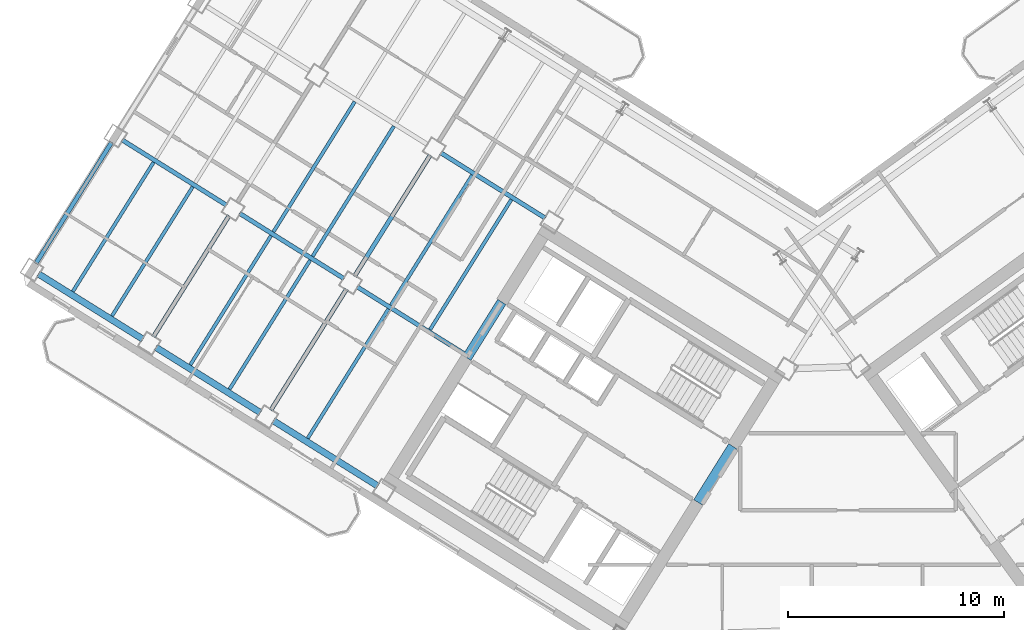
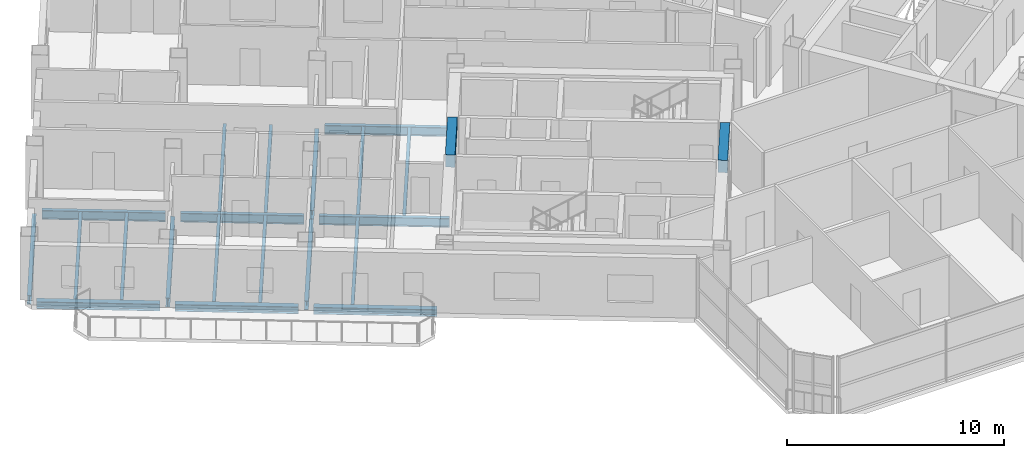
# One storey, part 5 of 20: 22 beams.
"""IFC4 building model written with IfcOpenShell, lengths in metres."""

from ifc_helpers import new_model, si_unit, direction, frame, origin, origin_2d, place, context, subcontext, project, spatial, rectangle, i_section, extrude, source, transform, mapped, material, material_profile, profile_set, type_object, element, save


model = new_model("IFC4")

# Units and contexts
model_context = context("Model", 3, precision=1e-05, world=origin(), true_north=direction((0.0, 1.0)))
body_context = subcontext(model_context, "Body", "Model", "MODEL_VIEW")
ifc_project = project(units=[si_unit("LENGTHUNIT", "METRE"), si_unit("AREAUNIT", "SQUARE_METRE"), si_unit("VOLUMEUNIT", "CUBIC_METRE"), si_unit("PLANEANGLEUNIT", "RADIAN"), si_unit("MASSUNIT", "GRAM", prefix="KILO")], contexts=[model_context])

# Site, building, storey
site_placement = place(None, origin())
site = spatial("IfcSite", under=ifc_project, at=site_placement, CompositionType="ELEMENT")
building_placement = place(site_placement, origin())
building = spatial("IfcBuilding", under=site, at=building_placement, Name="Tlacorven Tower", CompositionType="ELEMENT")
storey_placement = place(building_placement, frame((0.0, 0.0, 187.800048828125)))
storey = spatial("IfcBuildingStorey", under=building, at=storey_placement, Name="L47", CompositionType="ELEMENT", Elevation=187.800048828125)

# Beams
ifc_material_1 = material(Name="Concrete C60/75", Category="concrete")
ifc_material_profile_1 = material_profile(ifc_material_1, rectangle(XDim=0.449951171875, YDim=0.699951171875, at=origin_2d()), Name="RC 450X700")
ifc_profile_set_1 = profile_set([ifc_material_profile_1], Name="Concrete C60/75")
beam_type_1 = type_object("IfcBeamType", Name="BM-LNT-700", PredefinedType="LINTEL", material=ifc_profile_set_1)
shared_shape_1 = source(origin(), body_context, "Body", "SweptSolid", [
    extrude(rectangle(XDim=0.449951171875, YDim=0.699951171875, at=origin_2d()), origin(), (0.0, 0.0, 1.0), 3.050048828125),
])
beam_1_placement = place(storey_placement, frame((38.2998046875, 20.890625, 3.0), z_axis=(-0.529984549635, -0.848007297815, 0.0), x_axis=(0.848007297815, -0.529984549635, 0.0)))
element("IfcBeam", 1, at=beam_1_placement, inside=storey, type_object=beam_type_1, Name="L47 W core coupling lintel beam E1", PredefinedType="LINTEL", context=body_context, shape_type="MappedRepresentation", body=[
    mapped(shared_shape_1, transform((0.0, 0.0, 0.0), scale=1.0)),
])
shared_shape_2 = source(origin(), body_context, "Body", "SweptSolid", [
    extrude(rectangle(XDim=0.449951171875, YDim=0.699951171875, at=origin_2d()), origin(), (0.0, 0.0, 1.0), 3.0498046875),
])
beam_2_placement = place(storey_placement, frame((27.622802734375, 27.562255859375, 3.0), z_axis=(-0.529926983584, -0.848043272522, 0.0), x_axis=(0.848043272522, -0.529926983584, 0.0)))
element("IfcBeam", 2, at=beam_2_placement, inside=storey, type_object=beam_type_1, Name="L47 W core coupling lintel beam E2", PredefinedType="LINTEL", context=body_context, shape_type="MappedRepresentation", body=[
    mapped(shared_shape_2, transform((0.0, 0.0, 0.0), scale=1.0)),
])
ifc_material_2 = material(Name="Steel S355J2", Category="steel")
ifc_material_profile_2 = material_profile(ifc_material_2, i_section(OverallWidth=0.199951171875, OverallDepth=0.5, WebThickness=0.01025390625, FlangeThickness=0.01611328125, at=origin_2d()), Name="IPE 500")
ifc_profile_set_2 = profile_set([ifc_material_profile_2], Name="Steel S355J2")
beam_type_2 = type_object("IfcBeamType", Name="BM-TWR-500", PredefinedType="BEAM", material=ifc_profile_set_2)
shared_shape_3 = source(origin(), body_context, "Body", "SweptSolid", [
    extrude(i_section(OverallWidth=0.199951171875, OverallDepth=0.5, WebThickness=0.01025390625, FlangeThickness=0.01611328125, at=origin_2d()), origin(), (0.0, 0.0, 1.0), 6.010009765625),
])
beam_3_placement = place(storey_placement, frame((26.025634765625, 25.081787109375, -0.5), z_axis=(-0.848043944584, 0.529925908081, 0.0), x_axis=(-0.529925908081, -0.848043944584, 0.0)))
element("IfcBeam", 3, at=beam_3_placement, inside=storey, type_object=beam_type_2, Name="L47 beam BM-L47-WL3-3", PredefinedType="BEAM", context=body_context, shape_type="MappedRepresentation", body=[
    mapped(shared_shape_3, transform((0.0, 0.0, 0.0), scale=1.0)),
])
shared_shape_4 = source(origin(), body_context, "Body", "SweptSolid", [
    extrude(i_section(OverallWidth=0.199951171875, OverallDepth=0.5, WebThickness=0.01025390625, FlangeThickness=0.01611328125, at=origin_2d()), origin(), (0.0, 0.0, 1.0), 5.7001953125),
])
for number, where, z_axis, x_axis, name in (
    (4, (20.335205078125, 28.637451171875, -0.5), (-0.848036800771, 0.529937340199, 0.0), (-0.529937340199, -0.848036800771, 0.0), "L47 beam BM-L47-WL3-4"),
    (5, (14.90771484375, 32.029052734375, -0.5), (-0.848056048787, 0.529906537151, 0.0), (-0.529906537151, -0.848056048787, 0.0), "L47 beam BM-L47-WL3-5"),
):
    element("IfcBeam", number, at=place(storey_placement, frame(where, z_axis=z_axis, x_axis=x_axis)), inside=storey, type_object=beam_type_2, Name=name, PredefinedType="BEAM", context=body_context, shape_type="MappedRepresentation", body=[
        mapped(shared_shape_4, transform((0.0, 0.0, 0.0), scale=1.0)),
    ])
shared_shape_5 = source(origin(), body_context, "Body", "SweptSolid", [
    extrude(i_section(OverallWidth=0.199951171875, OverallDepth=0.5, WebThickness=0.01025390625, FlangeThickness=0.01611328125, at=origin_2d()), origin(), (0.0, 0.0, 1.0), 5.699951171875),
])
beam_4_placement = place(storey_placement, frame((29.631103515625, 31.436767578125, -0.5), z_axis=(-0.848044021115, 0.529925785607, 0.0), x_axis=(-0.529925785607, -0.848044021115, 0.0)))
element("IfcBeam", 6, at=beam_4_placement, inside=storey, type_object=beam_type_2, Name="L47 beam BM-L47-WL2-3", PredefinedType="BEAM", context=body_context, shape_type="MappedRepresentation", body=[
    mapped(shared_shape_5, transform((0.0, 0.0, 0.0), scale=1.0)),
])
shared_shape_6 = source(origin(), body_context, "Body", "SweptSolid", [
    extrude(i_section(OverallWidth=0.199951171875, OverallDepth=0.5, WebThickness=0.01025390625, FlangeThickness=0.01611328125, at=origin_2d()), origin(), (0.0, 0.0, 1.0), 6.599853515625),
])
beam_5_placement = place(storey_placement, frame((24.31494140625, 34.345947265625, -0.5), z_axis=(-0.529942412256, -0.848033631227, 0.0), x_axis=(0.848033631227, -0.529942412256, 0.0)))
element("IfcBeam", 7, at=beam_5_placement, inside=storey, type_object=beam_type_2, Name="L47 beam BM-L47-WT4-2", PredefinedType="BEAM", context=body_context, shape_type="MappedRepresentation", body=[
    mapped(shared_shape_6, transform((0.0, 0.0, 0.0), scale=1.0)),
])
shared_shape_7 = source(origin(), body_context, "Body", "SweptSolid", [
    extrude(i_section(OverallWidth=0.199951171875, OverallDepth=0.5, WebThickness=0.01025390625, FlangeThickness=0.01611328125, at=origin_2d()), origin(), (0.0, 0.0, 1.0), 6.60009765625),
])
for number, where, z_axis, x_axis, name in (
    (8, (20.446533203125, 28.1552734375, -0.5), (-0.529925788294, -0.848044019436, 0.0), (0.848044019436, -0.529925788294, 0.0), "L47 beam BM-L47-WT4-3"),
    (9, (15.01904296875, 31.546875, -0.5), (-0.529925788294, -0.848044019436, 0.0), (0.848044019436, -0.529925788294, 0.0), "L47 beam BM-L47-WT5-3"),
    (10, (9.591552734375, 34.938232421875, -0.5), (-0.529925788294, -0.848044019436, 0.0), (0.848044019436, -0.529925788294, 0.0), "L47 beam BM-L47-WT6-3"),
):
    element("IfcBeam", number, at=place(storey_placement, frame(where, z_axis=z_axis, x_axis=x_axis)), inside=storey, type_object=beam_type_2, Name=name, PredefinedType="BEAM", context=body_context, shape_type="MappedRepresentation", body=[
        mapped(shared_shape_7, transform((0.0, 0.0, 0.0), scale=1.0)),
    ])
ifc_material_profile_3 = material_profile(ifc_material_2, i_section(OverallWidth=0.159912109375, OverallDepth=0.330078125, WebThickness=0.007568359375, FlangeThickness=0.011474609375, at=origin_2d()), Name="IPE 330")
ifc_profile_set_3 = profile_set([ifc_material_profile_3], Name="Steel S355J2")
beam_type_3 = type_object("IfcBeamType", Name="BM-JST-330", PredefinedType="JOIST", material=ifc_profile_set_3)
shared_shape_8 = source(origin(), body_context, "Body", "SweptSolid", [
    extrude(i_section(OverallWidth=0.159912109375, OverallDepth=0.330078125, WebThickness=0.007568359375, FlangeThickness=0.011474609375, at=origin_2d()), origin(), (0.0, 0.0, 1.0), 7.0400390625),
])
for number, where, z_axis, x_axis, name in (
    (11, (18.767333984375, 29.493408203125, -0.4150390625), (-0.529930359501, -0.848041162963, 0.0), (0.848041162963, -0.529930359501, 0.0), "L47 beam BM-L47-WJ4-3-1"),
    (12, (16.9580078125, 30.6240234375, -0.4150390625), (-0.529930359501, -0.848041162963, 0.0), (0.848041162963, -0.529930359501, 0.0), "L47 beam BM-L47-WJ4-3-2"),
    (13, (13.33984375, 32.885009765625, -0.4150390625), (-0.529930359501, -0.848041162963, 0.0), (0.848041162963, -0.529930359501, 0.0), "L47 beam BM-L47-WJ5-3-1"),
):
    element("IfcBeam", number, at=place(storey_placement, frame(where, z_axis=z_axis, x_axis=x_axis)), inside=storey, type_object=beam_type_3, Name=name, PredefinedType="JOIST", context=body_context, shape_type="MappedRepresentation", body=[
        mapped(shared_shape_8, transform((0.0, 0.0, 0.0), scale=1.0)),
    ])
shared_shape_9 = source(origin(), body_context, "Body", "SweptSolid", [
    extrude(i_section(OverallWidth=0.159912109375, OverallDepth=0.330078125, WebThickness=0.007568359375, FlangeThickness=0.011474609375, at=origin_2d()), origin(), (0.0, 0.0, 1.0), 7.090087890625),
])
for number, where, z_axis, x_axis, name in (
    (14, (28.063232421875, 32.292724609375, -0.4150390625), (-0.529912270669, -0.84805246618, 0.0), (0.84805246618, -0.529912270669, 0.0), "L47 beam BM-L47-WJ3-2-1"),
    (15, (26.25390625, 33.42333984375, -0.4150390625), (-0.529912270669, -0.84805246618, 0.0), (0.84805246618, -0.529912270669, 0.0), "L47 beam BM-L47-WJ3-2-2"),
    (16, (22.6357421875, 35.684326171875, -0.4150390625), (-0.529937035031, -0.848036991471, 0.0), (0.848036991471, -0.529937035031, 0.0), "L47 beam BM-L47-WJ4-2-1"),
):
    element("IfcBeam", number, at=place(storey_placement, frame(where, z_axis=z_axis, x_axis=x_axis)), inside=storey, type_object=beam_type_3, Name=name, PredefinedType="JOIST", context=body_context, shape_type="MappedRepresentation", body=[
        mapped(shared_shape_9, transform((0.0, 0.0, 0.0), scale=1.0)),
    ])
shared_shape_10 = source(origin(), body_context, "Body", "SweptSolid", [
    extrude(i_section(OverallWidth=0.159912109375, OverallDepth=0.330078125, WebThickness=0.007568359375, FlangeThickness=0.011474609375, at=origin_2d()), origin(), (0.0, 0.0, 1.0), 7.08984375),
])
beam_6_placement = place(storey_placement, frame((20.826416015625, 36.814697265625, -0.4150390625), z_axis=(-0.529927745663, -0.848042796312, 0.0), x_axis=(0.848042796312, -0.529927745663, 0.0)))
element("IfcBeam", 17, at=beam_6_placement, inside=storey, type_object=beam_type_3, Name="L47 beam BM-L47-WJ4-2-2", PredefinedType="JOIST", context=body_context, shape_type="MappedRepresentation", body=[
    mapped(shared_shape_10, transform((0.0, 0.0, 0.0), scale=1.0)),
])
shared_shape_11 = source(origin(), body_context, "Body", "SweptSolid", [
    extrude(i_section(OverallWidth=0.159912109375, OverallDepth=0.330078125, WebThickness=0.007568359375, FlangeThickness=0.011474609375, at=origin_2d()), origin(), (0.0, 0.0, 1.0), 7.040283203125),
])
for number, where, z_axis, x_axis, name in (
    (18, (22.385498046875, 27.232666015625, -0.4150390625), (-0.529914775015, -0.848050901315, 0.0), (0.848050901315, -0.529914775015, 0.0), "L47 beam BM-L47-WJ3-3-2"),
    (19, (11.530517578125, 34.015625, -0.4150390625), (-0.529914775015, -0.848050901315, 0.0), (0.848050901315, -0.529914775015, 0.0), "L47 beam BM-L47-WJ5-3-2"),
):
    element("IfcBeam", number, at=place(storey_placement, frame(where, z_axis=z_axis, x_axis=x_axis)), inside=storey, type_object=beam_type_3, Name=name, PredefinedType="JOIST", context=body_context, shape_type="MappedRepresentation", body=[
        mapped(shared_shape_11, transform((0.0, 0.0, 0.0), scale=1.0)),
    ])
ifc_material_profile_4 = material_profile(ifc_material_2, i_section(OverallWidth=0.300048828125, OverallDepth=0.389892578125, WebThickness=0.010986328125, FlangeThickness=0.01904296875, at=origin_2d()), Name="HEA 400")
ifc_profile_set_4 = profile_set([ifc_material_profile_4], Name="Steel S355J2")
beam_type_4 = type_object("IfcBeamType", Name="BM-SPN-400", PredefinedType="SPANDREL", material=ifc_profile_set_4)
shared_shape_12 = source(origin(), body_context, "Body", "SweptSolid", [
    extrude(i_section(OverallWidth=0.300048828125, OverallDepth=0.389892578125, WebThickness=0.010986328125, FlangeThickness=0.01904296875, at=origin_2d()), origin(), (0.0, 0.0, 1.0), 5.699951171875),
])
beam_7_placement = place(storey_placement, frame((21.894287109375, 19.055419921875, -0.445068359375), z_axis=(-0.848044021115, 0.529925785607, 0.0), x_axis=(-0.529925785607, -0.848044021115, 0.0)))
element("IfcBeam", 20, at=beam_7_placement, inside=storey, type_object=beam_type_4, Name="L47 beam BM-L47-WL4-3", PredefinedType="SPANDREL", context=body_context, shape_type="MappedRepresentation", body=[
    mapped(shared_shape_12, transform((0.0, 0.0, 0.0), scale=1.0)),
])
shared_shape_13 = source(origin(), body_context, "Body", "SweptSolid", [
    extrude(i_section(OverallWidth=0.300048828125, OverallDepth=0.389892578125, WebThickness=0.010986328125, FlangeThickness=0.01904296875, at=origin_2d()), origin(), (0.0, 0.0, 1.0), 5.7001953125),
])
for number, where, z_axis, x_axis, name in (
    (21, (16.466796875, 22.44677734375, -0.445068359375), (-0.848056048787, 0.529906537151, 0.0), (-0.529906537151, -0.848056048787, 0.0), "L47 beam BM-L47-WL4-4"),
    (22, (11.039306640625, 25.83837890625, -0.445068359375), (-0.848056048787, 0.529906537151, 0.0), (-0.529906537151, -0.848056048787, 0.0), "L47 beam BM-L47-WL4-5"),
):
    element("IfcBeam", number, at=place(storey_placement, frame(where, z_axis=z_axis, x_axis=x_axis)), inside=storey, type_object=beam_type_4, Name=name, PredefinedType="SPANDREL", context=body_context, shape_type="MappedRepresentation", body=[
        mapped(shared_shape_13, transform((0.0, 0.0, 0.0), scale=1.0)),
    ])

save(model, "model.ifc")
